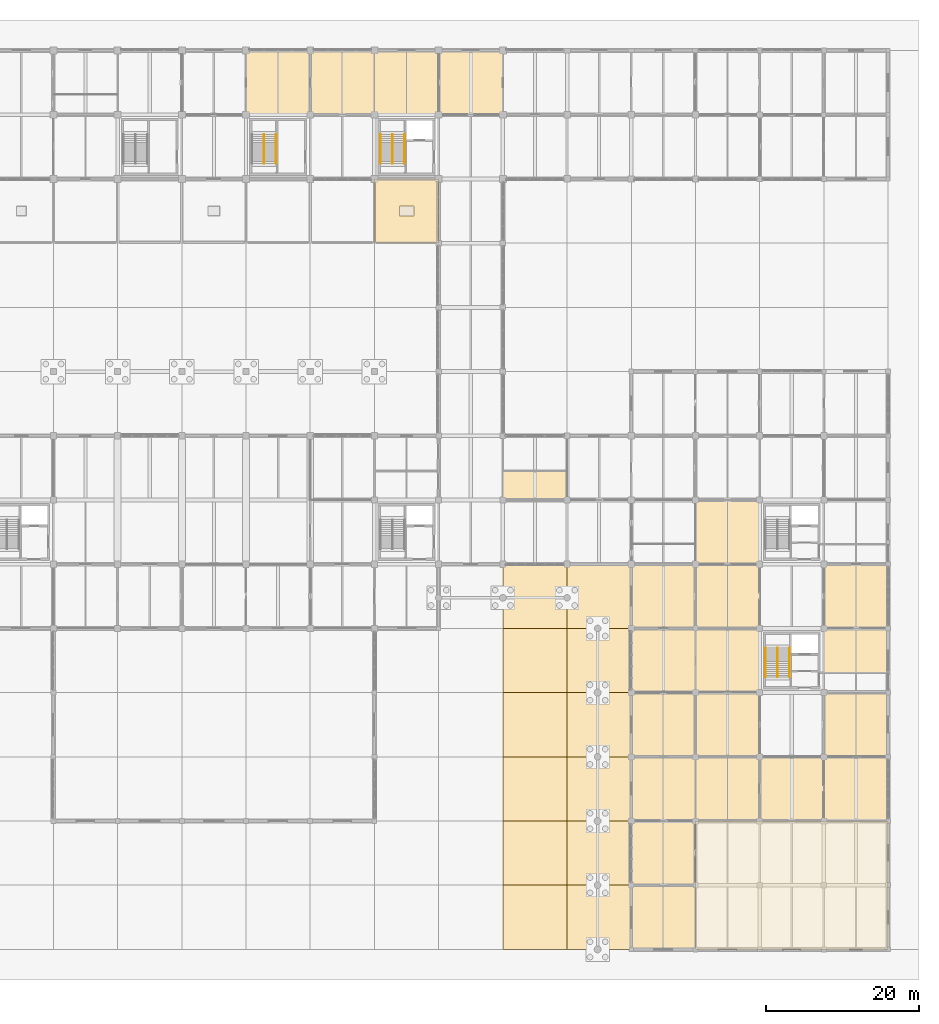
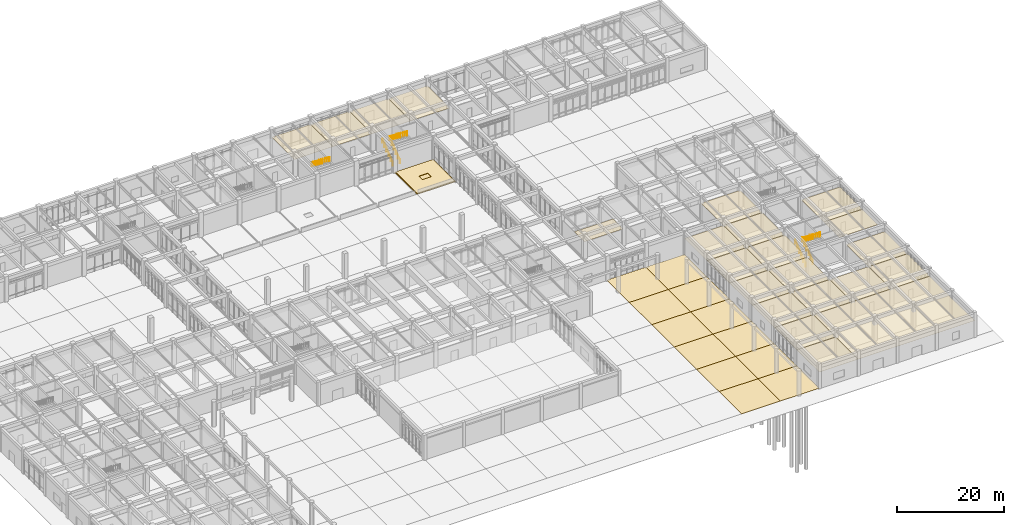
# One storey, part 90 of 91: 36 coverings, 10 railings.
"""IFC4 building model written with IfcOpenShell, lengths in metres."""

from ifc_helpers import new_model, si_unit, direction, frame, origin, origin_2d, place, context, subcontext, project, spatial, polyline, circle, outline, extrude, material, layer, layer_set, type_object, element, save


model = new_model("IFC4")

# Units and contexts
model_context = context("Model", 3, precision=1e-05, world=origin(), true_north=direction((0.0, 1.0)))
body_context = subcontext(model_context, "Body", "Model", "MODEL_VIEW")
ifc_project = project(units=[si_unit("LENGTHUNIT", "METRE"), si_unit("AREAUNIT", "SQUARE_METRE"), si_unit("VOLUMEUNIT", "CUBIC_METRE"), si_unit("PLANEANGLEUNIT", "RADIAN"), si_unit("MASSUNIT", "GRAM", prefix="KILO")], contexts=[model_context])

# Site, building, storey
site_placement = place(None, origin())
site = spatial("IfcSite", under=ifc_project, at=site_placement, CompositionType="ELEMENT")
building_placement = place(site_placement, origin())
building = spatial("IfcBuilding", under=site, at=building_placement, Name="Porcellanite Civic Hall", CompositionType="ELEMENT")
storey_placement = place(building_placement, origin())
storey = spatial("IfcBuildingStorey", under=building, at=storey_placement, Name="L00", CompositionType="ELEMENT", Elevation=0.0)

# Coverings
ifc_material_1 = material(Name="Perforated acoustic mineral-fibre and spotted-gum batten ceiling")
ifc_layer_1 = layer(ifc_material_1, 0.034912109375)
ifc_layer_set_1 = layer_set([ifc_layer_1], Name="Perforated acoustic mineral-fibre and spotted-gum batten ceiling")
covering_type_1 = type_object("IfcCoveringType", Name="COV-CL2", PredefinedType="CEILING", material=ifc_layer_set_1)
covering_1_placement = place(storey_placement, frame((0.0, 0.0, 3.625)))
element("IfcCovering", 1, at=covering_1_placement, inside=storey, type_object=covering_type_1, Name="Acoustic ceiling Civic Bookshop", PredefinedType="CEILING", context=body_context, shape_type="SweptSolid", body=[
    extrude(outline(polyline([(151.2099609375, 0.010009765625), (176.389892578125, 0.010009765625), (176.389892578125, 16.7900390625), (151.2099609375, 16.7900390625), (151.2099609375, 0.010009765625)])), origin(), (0.0, 0.0, 1.0), 0.034912109375),
])
ifc_material_2 = material(Name="Perforated acoustic mineral-fibre and spotted-gum batten ceiling")
ifc_layer_2 = layer(ifc_material_2, 0.044921875)
ifc_layer_set_2 = layer_set([ifc_layer_2], Name="Perforated acoustic mineral-fibre and spotted-gum batten ceiling")
covering_type_2 = type_object("IfcCoveringType", Name="COV-CL3", PredefinedType="CEILING", material=ifc_layer_set_2)
covering_2_placement = place(storey_placement, frame((0.0, 0.0, 3.614990234375)))
element("IfcCovering", 2, at=covering_2_placement, inside=storey, type_object=covering_type_2, Name="Acoustic ceiling Local History Research Room L00-A", PredefinedType="CEILING", context=body_context, shape_type="SweptSolid", body=[
    extrude(outline(polyline([(126.010009765625, 58.81005859375), (134.389892578125, 58.81005859375), (134.389892578125, 62.590087890625), (126.010009765625, 62.590087890625), (126.010009765625, 58.81005859375)])), origin(), (0.0, 0.0, 1.0), 0.044921875),
])
covering_3_placement = place(storey_placement, frame((0.0, 0.0, 3.614990234375)))
element("IfcCovering", 3, at=covering_3_placement, inside=storey, type_object=covering_type_2, Name="Acoustic ceiling Municipal Registry Office L00-54", PredefinedType="CEILING", context=body_context, shape_type="SweptSolid", body=[
    extrude(outline(polyline([(92.409912109375, 109.2099609375), (100.7900390625, 109.2099609375), (100.7900390625, 117.590087890625), (92.409912109375, 117.590087890625), (92.409912109375, 109.2099609375)])), origin(), (0.0, 0.0, 1.0), 0.044921875),
])
covering_4_placement = place(storey_placement, frame((0.0, 0.0, 3.614990234375)))
element("IfcCovering", 4, at=covering_4_placement, inside=storey, type_object=covering_type_2, Name="Acoustic ceiling Municipal Registry Office L00-59", PredefinedType="CEILING", context=body_context, shape_type="SweptSolid", body=[
    extrude(outline(polyline([(100.81005859375, 109.2099609375), (109.18994140625, 109.2099609375), (109.18994140625, 117.590087890625), (100.81005859375, 117.590087890625), (100.81005859375, 109.2099609375)])), origin(), (0.0, 0.0, 1.0), 0.044921875),
])
covering_5_placement = place(storey_placement, frame((0.0, 0.0, 3.614990234375)))
element("IfcCovering", 5, at=covering_5_placement, inside=storey, type_object=covering_type_2, Name="Acoustic ceiling Community Grants Office L00-61", PredefinedType="CEILING", context=body_context, shape_type="SweptSolid", body=[
    extrude(outline(polyline([(109.2099609375, 109.2099609375), (117.590087890625, 109.2099609375), (117.590087890625, 117.590087890625), (109.2099609375, 117.590087890625), (109.2099609375, 109.2099609375)])), origin(), (0.0, 0.0, 1.0), 0.044921875),
])
covering_6_placement = place(storey_placement, frame((0.0, 0.0, 3.614990234375)))
element("IfcCovering", 6, at=covering_6_placement, inside=storey, type_object=covering_type_2, Name="Acoustic ceiling Municipal Registry Office L00-69", PredefinedType="CEILING", context=body_context, shape_type="SweptSolid", body=[
    extrude(outline(polyline([(117.610107421875, 109.2099609375), (125.989990234375, 109.2099609375), (125.989990234375, 117.590087890625), (117.610107421875, 117.590087890625), (117.610107421875, 109.2099609375)])), origin(), (0.0, 0.0, 1.0), 0.044921875),
])
covering_7_placement = place(storey_placement, frame((0.0, 0.0, 3.614990234375)))
element("IfcCovering", 7, at=covering_7_placement, inside=storey, type_object=covering_type_2, Name="Acoustic ceiling Civic Periodicals Collection Room L00-75", PredefinedType="CEILING", context=body_context, shape_type="SweptSolid", body=[
    extrude(outline(polyline([(142.81005859375, 0.010009765625), (151.18994140625, 0.010009765625), (151.18994140625, 8.389892578125), (142.81005859375, 8.389892578125), (142.81005859375, 0.010009765625)])), origin(), (0.0, 0.0, 1.0), 0.044921875),
])
covering_8_placement = place(storey_placement, frame((0.0, 0.0, 3.614990234375)))
element("IfcCovering", 8, at=covering_8_placement, inside=storey, type_object=covering_type_2, Name="Acoustic ceiling Territorial Gazetteer Office L00-76", PredefinedType="CEILING", context=body_context, shape_type="SweptSolid", body=[
    extrude(outline(polyline([(142.81005859375, 8.409912109375), (151.18994140625, 8.409912109375), (151.18994140625, 16.7900390625), (142.81005859375, 16.7900390625), (142.81005859375, 8.409912109375)])), origin(), (0.0, 0.0, 1.0), 0.044921875),
])
covering_9_placement = place(storey_placement, frame((0.0, 0.0, 3.614990234375)))
element("IfcCovering", 9, at=covering_9_placement, inside=storey, type_object=covering_type_2, Name="Acoustic ceiling Community Seminar Room L00-77", PredefinedType="CEILING", context=body_context, shape_type="SweptSolid", body=[
    extrude(outline(polyline([(142.81005859375, 16.81005859375), (151.18994140625, 16.81005859375), (151.18994140625, 25.18994140625), (142.81005859375, 25.18994140625), (142.81005859375, 16.81005859375)])), origin(), (0.0, 0.0, 1.0), 0.044921875),
])
covering_10_placement = place(storey_placement, frame((0.0, 0.0, 3.614990234375)))
element("IfcCovering", 10, at=covering_10_placement, inside=storey, type_object=covering_type_2, Name="Acoustic ceiling Rare Maps Conservation Studio L00-78", PredefinedType="CEILING", context=body_context, shape_type="SweptSolid", body=[
    extrude(outline(polyline([(142.81005859375, 25.2099609375), (151.18994140625, 25.2099609375), (151.18994140625, 33.590087890625), (142.81005859375, 33.590087890625), (142.81005859375, 25.2099609375)])), origin(), (0.0, 0.0, 1.0), 0.044921875),
])
covering_11_placement = place(storey_placement, frame((0.0, 0.0, 3.614990234375)))
element("IfcCovering", 11, at=covering_11_placement, inside=storey, type_object=covering_type_2, Name="Acoustic ceiling Local History Research Office L00-79", PredefinedType="CEILING", context=body_context, shape_type="SweptSolid", body=[
    extrude(outline(polyline([(142.81005859375, 33.610107421875), (151.18994140625, 33.610107421875), (151.18994140625, 41.989990234375), (142.81005859375, 41.989990234375), (142.81005859375, 33.610107421875)])), origin(), (0.0, 0.0, 1.0), 0.044921875),
])
covering_12_placement = place(storey_placement, frame((0.0, 0.0, 3.614990234375)))
element("IfcCovering", 12, at=covering_12_placement, inside=storey, type_object=covering_type_2, Name="Acoustic ceiling Civic Periodicals Collection Room L00-80", PredefinedType="CEILING", context=body_context, shape_type="SweptSolid", body=[
    extrude(outline(polyline([(142.81005859375, 42.010009765625), (151.18994140625, 42.010009765625), (151.18994140625, 50.389892578125), (142.81005859375, 50.389892578125), (142.81005859375, 42.010009765625)])), origin(), (0.0, 0.0, 1.0), 0.044921875),
])
covering_13_placement = place(storey_placement, frame((0.0, 0.0, 3.614990234375)))
element("IfcCovering", 13, at=covering_13_placement, inside=storey, type_object=covering_type_2, Name="Acoustic ceiling Local History Research Office L00-85", PredefinedType="CEILING", context=body_context, shape_type="SweptSolid", body=[
    extrude(outline(polyline([(151.2099609375, 16.81005859375), (159.590087890625, 16.81005859375), (159.590087890625, 25.18994140625), (151.2099609375, 25.18994140625), (151.2099609375, 16.81005859375)])), origin(), (0.0, 0.0, 1.0), 0.044921875),
])
covering_14_placement = place(storey_placement, frame((0.0, 0.0, 3.614990234375)))
element("IfcCovering", 14, at=covering_14_placement, inside=storey, type_object=covering_type_2, Name="Acoustic ceiling Civic Periodicals Collection Room L00-86", PredefinedType="CEILING", context=body_context, shape_type="SweptSolid", body=[
    extrude(outline(polyline([(151.2099609375, 25.2099609375), (159.590087890625, 25.2099609375), (159.590087890625, 33.590087890625), (151.2099609375, 33.590087890625), (151.2099609375, 25.2099609375)])), origin(), (0.0, 0.0, 1.0), 0.044921875),
])
covering_15_placement = place(storey_placement, frame((0.0, 0.0, 3.614990234375)))
element("IfcCovering", 15, at=covering_15_placement, inside=storey, type_object=covering_type_2, Name="Acoustic ceiling Territorial Gazetteer Office L00-87", PredefinedType="CEILING", context=body_context, shape_type="SweptSolid", body=[
    extrude(outline(polyline([(151.2099609375, 33.610107421875), (159.590087890625, 33.610107421875), (159.590087890625, 41.989990234375), (151.2099609375, 41.989990234375), (151.2099609375, 33.610107421875)])), origin(), (0.0, 0.0, 1.0), 0.044921875),
])
covering_16_placement = place(storey_placement, frame((0.0, 0.0, 3.614990234375)))
element("IfcCovering", 16, at=covering_16_placement, inside=storey, type_object=covering_type_2, Name="Acoustic ceiling Community Seminar Room L00-88", PredefinedType="CEILING", context=body_context, shape_type="SweptSolid", body=[
    extrude(outline(polyline([(151.2099609375, 42.010009765625), (159.590087890625, 42.010009765625), (159.590087890625, 50.389892578125), (151.2099609375, 50.389892578125), (151.2099609375, 42.010009765625)])), origin(), (0.0, 0.0, 1.0), 0.044921875),
])
covering_17_placement = place(storey_placement, frame((0.0, 0.0, 3.614990234375)))
element("IfcCovering", 17, at=covering_17_placement, inside=storey, type_object=covering_type_2, Name="Acoustic ceiling Rare Maps Conservation Studio L00-89", PredefinedType="CEILING", context=body_context, shape_type="SweptSolid", body=[
    extrude(outline(polyline([(151.2099609375, 50.409912109375), (159.590087890625, 50.409912109375), (159.590087890625, 58.7900390625), (151.2099609375, 58.7900390625), (151.2099609375, 50.409912109375)])), origin(), (0.0, 0.0, 1.0), 0.044921875),
])
covering_18_placement = place(storey_placement, frame((0.0, 0.0, 3.614990234375)))
element("IfcCovering", 18, at=covering_18_placement, inside=storey, type_object=covering_type_2, Name="Acoustic ceiling Local History Research Office L00-94", PredefinedType="CEILING", context=body_context, shape_type="SweptSolid", body=[
    extrude(outline(polyline([(159.610107421875, 16.81005859375), (167.989990234375, 16.81005859375), (167.989990234375, 25.18994140625), (159.610107421875, 25.18994140625), (159.610107421875, 16.81005859375)])), origin(), (0.0, 0.0, 1.0), 0.044921875),
])
covering_19_placement = place(storey_placement, frame((0.0, 0.0, 3.614990234375)))
element("IfcCovering", 19, at=covering_19_placement, inside=storey, type_object=covering_type_2, Name="Acoustic ceiling Rare Maps Conservation Studio L00-101", PredefinedType="CEILING", context=body_context, shape_type="SweptSolid", body=[
    extrude(outline(polyline([(168.010009765625, 16.81005859375), (176.389892578125, 16.81005859375), (176.389892578125, 25.18994140625), (168.010009765625, 25.18994140625), (168.010009765625, 16.81005859375)])), origin(), (0.0, 0.0, 1.0), 0.044921875),
])
covering_20_placement = place(storey_placement, frame((0.0, 0.0, 3.614990234375)))
element("IfcCovering", 20, at=covering_20_placement, inside=storey, type_object=covering_type_2, Name="Acoustic ceiling Local History Research Office L00-102", PredefinedType="CEILING", context=body_context, shape_type="SweptSolid", body=[
    extrude(outline(polyline([(168.010009765625, 25.2099609375), (176.389892578125, 25.2099609375), (176.389892578125, 33.590087890625), (168.010009765625, 33.590087890625), (168.010009765625, 25.2099609375)])), origin(), (0.0, 0.0, 1.0), 0.044921875),
])
covering_21_placement = place(storey_placement, frame((0.0, 0.0, 3.614990234375)))
element("IfcCovering", 21, at=covering_21_placement, inside=storey, type_object=covering_type_2, Name="Acoustic ceiling Civic Periodicals Collection Room L00-103", PredefinedType="CEILING", context=body_context, shape_type="SweptSolid", body=[
    extrude(outline(polyline([(168.010009765625, 36.18798828125), (176.389892578125, 36.18798828125), (176.389892578125, 41.989990234375), (168.010009765625, 41.989990234375), (168.010009765625, 36.18798828125)])), origin(), (0.0, 0.0, 1.0), 0.044921875),
])
covering_22_placement = place(storey_placement, frame((0.0, 0.0, 3.614990234375)))
element("IfcCovering", 22, at=covering_22_placement, inside=storey, type_object=covering_type_2, Name="Acoustic ceiling Territorial Gazetteer Office L00-104", PredefinedType="CEILING", context=body_context, shape_type="SweptSolid", body=[
    extrude(outline(polyline([(168.010009765625, 42.010009765625), (176.389892578125, 42.010009765625), (176.389892578125, 50.389892578125), (168.010009765625, 50.389892578125), (168.010009765625, 42.010009765625)])), origin(), (0.0, 0.0, 1.0), 0.044921875),
])
ifc_material_3 = material(Name="Darwin porcellanite stone paving", Category="masonry")
ifc_layer_3 = layer(ifc_material_3, 0.10009765625)
ifc_layer_set_3 = layer_set([ifc_layer_3], Name="Darwin porcellanite stone paving")
covering_type_3 = type_object("IfcCoveringType", Name="COV-PAV100", PredefinedType="USERDEFINED", material=ifc_layer_set_3)
covering_23_placement = place(storey_placement, frame((0.0, 0.0, -0.10009765625)))
element("IfcCovering", 23, at=covering_23_placement, inside=storey, type_object=covering_type_3, Name="Porcellanite Square paving 14-12", ObjectType="PAVING", PredefinedType="USERDEFINED", context=body_context, shape_type="SweptSolid", body=[
    extrude(outline(polyline([(109.199951171875, 92.39990234375), (117.60009765625, 92.39990234375), (117.60009765625, 100.800048828125), (109.199951171875, 100.800048828125), (109.199951171875, 92.39990234375)])), origin(), (0.0, 0.0, 1.0), 0.10009765625),
])
covering_24_placement = place(storey_placement, frame((0.0, 0.0, -0.10009765625)))
element("IfcCovering", 24, at=covering_24_placement, inside=storey, type_object=covering_type_3, Name="Porcellanite Square paving 16-1", ObjectType="PAVING", PredefinedType="USERDEFINED", context=body_context, shape_type="SweptSolid", body=[
    extrude(outline(polyline([(126.0, 0.0), (134.39990234375, 0.0), (134.39990234375, 8.39990234375), (126.0, 8.39990234375), (126.0, 0.0)])), origin(), (0.0, 0.0, 1.0), 0.10009765625),
])
covering_25_placement = place(storey_placement, frame((0.0, 0.0, -0.10009765625)))
element("IfcCovering", 25, at=covering_25_placement, inside=storey, type_object=covering_type_3, Name="Porcellanite Square paving 16-2", ObjectType="PAVING", PredefinedType="USERDEFINED", context=body_context, shape_type="SweptSolid", body=[
    extrude(outline(polyline([(126.0, 8.39990234375), (134.39990234375, 8.39990234375), (134.39990234375, 16.800048828125), (126.0, 16.800048828125), (126.0, 8.39990234375)])), origin(), (0.0, 0.0, 1.0), 0.10009765625),
])
covering_26_placement = place(storey_placement, frame((0.0, 0.0, -0.10009765625)))
element("IfcCovering", 26, at=covering_26_placement, inside=storey, type_object=covering_type_3, Name="Porcellanite Square paving 16-3", ObjectType="PAVING", PredefinedType="USERDEFINED", context=body_context, shape_type="SweptSolid", body=[
    extrude(outline(polyline([(126.0, 16.800048828125), (134.39990234375, 16.800048828125), (134.39990234375, 25.199951171875), (126.0, 25.199951171875), (126.0, 16.800048828125)])), origin(), (0.0, 0.0, 1.0), 0.10009765625),
])
covering_27_placement = place(storey_placement, frame((0.0, 0.0, -0.10009765625)))
element("IfcCovering", 27, at=covering_27_placement, inside=storey, type_object=covering_type_3, Name="Porcellanite Square paving 16-4", ObjectType="PAVING", PredefinedType="USERDEFINED", context=body_context, shape_type="SweptSolid", body=[
    extrude(outline(polyline([(126.0, 25.199951171875), (134.39990234375, 25.199951171875), (134.39990234375, 33.60009765625), (126.0, 33.60009765625), (126.0, 25.199951171875)])), origin(), (0.0, 0.0, 1.0), 0.10009765625),
])
covering_28_placement = place(storey_placement, frame((0.0, 0.0, -0.10009765625)))
element("IfcCovering", 28, at=covering_28_placement, inside=storey, type_object=covering_type_3, Name="Porcellanite Square paving 16-5", ObjectType="PAVING", PredefinedType="USERDEFINED", context=body_context, shape_type="SweptSolid", body=[
    extrude(outline(polyline([(126.0, 33.60009765625), (134.39990234375, 33.60009765625), (134.39990234375, 42.0), (126.0, 42.0), (126.0, 33.60009765625)])), origin(), (0.0, 0.0, 1.0), 0.10009765625),
])
covering_29_placement = place(storey_placement, frame((0.0, 0.0, -0.10009765625)))
element("IfcCovering", 29, at=covering_29_placement, inside=storey, type_object=covering_type_3, Name="Porcellanite Square paving 16-6", ObjectType="PAVING", PredefinedType="USERDEFINED", context=body_context, shape_type="SweptSolid", body=[
    extrude(outline(polyline([(126.0, 42.0), (134.39990234375, 42.0), (134.39990234375, 50.39990234375), (126.0, 50.39990234375), (126.0, 42.0)])), origin(), (0.0, 0.0, 1.0), 0.10009765625),
])
covering_30_placement = place(storey_placement, frame((0.0, 0.0, -0.10009765625)))
element("IfcCovering", 30, at=covering_30_placement, inside=storey, type_object=covering_type_3, Name="Porcellanite Square paving 17-1", ObjectType="PAVING", PredefinedType="USERDEFINED", context=body_context, shape_type="SweptSolid", body=[
    extrude(outline(polyline([(134.39990234375, 0.0), (142.800048828125, 0.0), (142.800048828125, 8.39990234375), (134.39990234375, 8.39990234375), (134.39990234375, 0.0)])), origin(), (0.0, 0.0, 1.0), 0.10009765625),
])
covering_31_placement = place(storey_placement, frame((0.0, 0.0, -0.10009765625)))
element("IfcCovering", 31, at=covering_31_placement, inside=storey, type_object=covering_type_3, Name="Porcellanite Square paving 17-2", ObjectType="PAVING", PredefinedType="USERDEFINED", context=body_context, shape_type="SweptSolid", body=[
    extrude(outline(polyline([(134.39990234375, 8.39990234375), (142.800048828125, 8.39990234375), (142.800048828125, 16.800048828125), (134.39990234375, 16.800048828125), (134.39990234375, 8.39990234375)])), origin(), (0.0, 0.0, 1.0), 0.10009765625),
])
covering_32_placement = place(storey_placement, frame((0.0, 0.0, -0.10009765625)))
element("IfcCovering", 32, at=covering_32_placement, inside=storey, type_object=covering_type_3, Name="Porcellanite Square paving 17-3", ObjectType="PAVING", PredefinedType="USERDEFINED", context=body_context, shape_type="SweptSolid", body=[
    extrude(outline(polyline([(134.39990234375, 16.800048828125), (142.800048828125, 16.800048828125), (142.800048828125, 25.199951171875), (134.39990234375, 25.199951171875), (134.39990234375, 16.800048828125)])), origin(), (0.0, 0.0, 1.0), 0.10009765625),
])
covering_33_placement = place(storey_placement, frame((0.0, 0.0, -0.10009765625)))
element("IfcCovering", 33, at=covering_33_placement, inside=storey, type_object=covering_type_3, Name="Porcellanite Square paving 17-4", ObjectType="PAVING", PredefinedType="USERDEFINED", context=body_context, shape_type="SweptSolid", body=[
    extrude(outline(polyline([(134.39990234375, 25.199951171875), (142.800048828125, 25.199951171875), (142.800048828125, 33.60009765625), (134.39990234375, 33.60009765625), (134.39990234375, 25.199951171875)])), origin(), (0.0, 0.0, 1.0), 0.10009765625),
])
covering_34_placement = place(storey_placement, frame((0.0, 0.0, -0.10009765625)))
element("IfcCovering", 34, at=covering_34_placement, inside=storey, type_object=covering_type_3, Name="Porcellanite Square paving 17-5", ObjectType="PAVING", PredefinedType="USERDEFINED", context=body_context, shape_type="SweptSolid", body=[
    extrude(outline(polyline([(134.39990234375, 33.60009765625), (142.800048828125, 33.60009765625), (142.800048828125, 42.0), (134.39990234375, 42.0), (134.39990234375, 33.60009765625)])), origin(), (0.0, 0.0, 1.0), 0.10009765625),
])
covering_35_placement = place(storey_placement, frame((0.0, 0.0, -0.10009765625)))
element("IfcCovering", 35, at=covering_35_placement, inside=storey, type_object=covering_type_3, Name="Porcellanite Square paving 17-6", ObjectType="PAVING", PredefinedType="USERDEFINED", context=body_context, shape_type="SweptSolid", body=[
    extrude(outline(polyline([(134.39990234375, 42.0), (142.800048828125, 42.0), (142.800048828125, 50.39990234375), (134.39990234375, 50.39990234375), (134.39990234375, 42.0)])), origin(), (0.0, 0.0, 1.0), 0.10009765625),
])
ifc_material_4 = material(Name="Insulated light-reflective TPO monsoon roofing membrane")
ifc_layer_4 = layer(ifc_material_4, 0.080078125)
ifc_layer_set_4 = layer_set([ifc_layer_4], Name="Insulated light-reflective TPO monsoon roofing membrane")
covering_type_4 = type_object("IfcCoveringType", Name="COV-RF1", PredefinedType="ROOFING", material=ifc_layer_set_4)
covering_36_placement = place(storey_placement, origin())
element("IfcCovering", 36, at=covering_36_placement, inside=storey, type_object=covering_type_4, Name="Roof membrane L00 14-12", PredefinedType="ROOFING", context=body_context, shape_type="SweptSolid", body=[
    extrude(outline(polyline([(109.35009765625, 92.550048828125), (117.449951171875, 92.550048828125), (117.449951171875, 100.64990234375), (109.35009765625, 100.64990234375), (109.35009765625, 92.550048828125)]), holes=[polyline([(112.449951171875, 95.949951171875), (114.35009765625, 95.949951171875), (114.35009765625, 97.25), (112.449951171875, 97.25), (112.449951171875, 95.949951171875)])]), origin(), (0.0, 0.0, 1.0), 0.080078125),
])

# Railings
ifc_material_5 = material(Name="Brushed stainless steel 316", Category="steel")
railing_type_1 = type_object("IfcRailingType", Name="RL-HR920", PredefinedType="HANDRAIL", material=ifc_material_5)
railing_1_placement = place(storey_placement, frame((109.985107421875, 102.800048828125, 0.0)))
element("IfcRailing", 37, at=railing_1_placement, inside=storey, type_object=railing_type_1, Name="Stair handrail ST-04 L00 1", PredefinedType="HANDRAIL", context=body_context, shape_type="SweptSolid", body=[
    extrude(circle(Radius=0.02197265625, at=origin_2d()), frame((0.0, 0.0, 0.89794921875), z_axis=(0.0, 0.798878840457, 0.601491976896), x_axis=(-1.0, 0.0, 0.0)), (0.0, 0.0, 1.0), 4.787841796875),
    extrude(circle(Radius=0.01904296875, at=origin_2d()), origin(), (0.0, 0.0, 1.0), 0.8759765625),
    extrude(circle(Radius=0.01904296875, at=origin_2d()), frame((0.0, 0.764892578125, 0.575927734375)), (0.0, 0.0, 1.0), 0.8759765625),
    extrude(circle(Radius=0.01904296875, at=origin_2d()), frame((0.0, 1.530029296875, 1.15185546875)), (0.0, 0.0, 1.0), 0.8759765625),
    extrude(circle(Radius=0.01904296875, at=origin_2d()), frame((0.0, 2.294921875, 1.72802734375)), (0.0, 0.0, 1.0), 0.8759765625),
    extrude(circle(Radius=0.01904296875, at=origin_2d()), frame((0.0, 3.06005859375, 2.303955078125)), (0.0, 0.0, 1.0), 0.8759765625),
    extrude(circle(Radius=0.01904296875, at=origin_2d()), frame((0.0, 3.824951171875, 2.8798828125)), (0.0, 0.0, 1.0), 0.8759765625),
])
railing_2_placement = place(storey_placement, frame((111.56494140625, 106.625, 2.8798828125)))
element("IfcRailing", 38, at=railing_2_placement, inside=storey, type_object=railing_type_1, Name="Stair handrail ST-04 L00 3", PredefinedType="HANDRAIL", context=body_context, shape_type="SweptSolid", body=[
    extrude(circle(Radius=0.02197265625, at=origin_2d()), frame((0.0, 0.0, 0.89794921875), z_axis=(0.0, -0.798854338303, 0.601524518348), x_axis=(1.0, 0.0, 0.0)), (0.0, 0.0, 1.0), 4.7880859375),
    extrude(circle(Radius=0.01904296875, at=origin_2d()), origin(), (0.0, 0.0, 1.0), 0.8759765625),
    extrude(circle(Radius=0.01904296875, at=origin_2d()), frame((0.0, -0.764892578125, 0.575927734375)), (0.0, 0.0, 1.0), 0.8759765625),
    extrude(circle(Radius=0.01904296875, at=origin_2d()), frame((0.0, -1.530029296875, 1.152099609375)), (0.0, 0.0, 1.0), 0.8759765625),
    extrude(circle(Radius=0.01904296875, at=origin_2d()), frame((0.0, -2.294921875, 1.72802734375)), (0.0, 0.0, 1.0), 0.8759765625),
    extrude(circle(Radius=0.01904296875, at=origin_2d()), frame((0.0, -3.06005859375, 2.30419921875)), (0.0, 0.0, 1.0), 0.8759765625),
    extrude(circle(Radius=0.01904296875, at=origin_2d()), frame((0.0, -3.824951171875, 2.880126953125)), (0.0, 0.0, 1.0), 0.8759765625),
])
railing_3_placement = place(storey_placement, frame((160.385009765625, 35.60009765625, 0.0)))
element("IfcRailing", 39, at=railing_3_placement, inside=storey, type_object=railing_type_1, Name="Stair handrail ST-07 L00 1", PredefinedType="HANDRAIL", context=body_context, shape_type="SweptSolid", body=[
    extrude(circle(Radius=0.02197265625, at=origin_2d()), frame((0.0, 0.0, 0.89794921875), z_axis=(0.0, 0.798878840457, 0.601491976896), x_axis=(-1.0, 0.0, 0.0)), (0.0, 0.0, 1.0), 4.787841796875),
    extrude(circle(Radius=0.01904296875, at=origin_2d()), origin(), (0.0, 0.0, 1.0), 0.8759765625),
    extrude(circle(Radius=0.01904296875, at=origin_2d()), frame((0.0, 0.764892578125, 0.575927734375)), (0.0, 0.0, 1.0), 0.8759765625),
    extrude(circle(Radius=0.01904296875, at=origin_2d()), frame((0.0, 1.530029296875, 1.15185546875)), (0.0, 0.0, 1.0), 0.8759765625),
    extrude(circle(Radius=0.01904296875, at=origin_2d()), frame((0.0, 2.294921875, 1.72802734375)), (0.0, 0.0, 1.0), 0.8759765625),
    extrude(circle(Radius=0.01904296875, at=origin_2d()), frame((0.0, 3.06005859375, 2.303955078125)), (0.0, 0.0, 1.0), 0.8759765625),
    extrude(circle(Radius=0.01904296875, at=origin_2d()), frame((0.0, 3.824951171875, 2.8798828125)), (0.0, 0.0, 1.0), 0.8759765625),
])
for number, where, name in (
    (40, (161.965087890625, 39.425048828125, 2.8798828125), "Stair handrail ST-07 L00 3"),
    (41, (94.764892578125, 106.625, 2.8798828125), "Stair handrail ST-10 L00 3"),
):
    element("IfcRailing", number, at=place(storey_placement, frame(where)), inside=storey, type_object=railing_type_1, Name=name, PredefinedType="HANDRAIL", context=body_context, shape_type="SweptSolid", body=[
        extrude(circle(Radius=0.02197265625, at=origin_2d()), frame((0.0, 0.0, 0.89794921875), z_axis=(0.0, -0.798854338303, 0.601524518348), x_axis=(1.0, 0.0, 0.0)), (0.0, 0.0, 1.0), 4.7880859375),
        extrude(circle(Radius=0.01904296875, at=origin_2d()), origin(), (0.0, 0.0, 1.0), 0.8759765625),
        extrude(circle(Radius=0.01904296875, at=origin_2d()), frame((0.0, -0.764892578125, 0.575927734375)), (0.0, 0.0, 1.0), 0.8759765625),
        extrude(circle(Radius=0.01904296875, at=origin_2d()), frame((0.0, -1.530029296875, 1.152099609375)), (0.0, 0.0, 1.0), 0.8759765625),
        extrude(circle(Radius=0.01904296875, at=origin_2d()), frame((0.0, -2.294921875, 1.72802734375)), (0.0, 0.0, 1.0), 0.8759765625),
        extrude(circle(Radius=0.01904296875, at=origin_2d()), frame((0.0, -3.06005859375, 2.30419921875)), (0.0, 0.0, 1.0), 0.8759765625),
        extrude(circle(Radius=0.01904296875, at=origin_2d()), frame((0.0, -3.824951171875, 2.880126953125)), (0.0, 0.0, 1.0), 0.8759765625),
    ])
ifc_material_6 = material(Name="Brushed stainless steel 316", Category="steel")
railing_type_2 = type_object("IfcRailingType", Name="RL-HR950", PredefinedType="HANDRAIL", material=ifc_material_6)
railing_4_placement = place(storey_placement, frame((111.534912109375, 102.800048828125, 0.0)))
element("IfcRailing", 42, at=railing_4_placement, inside=storey, type_object=railing_type_2, Name="Stair handrail ST-04 L00 2", PredefinedType="HANDRAIL", context=body_context, shape_type="SweptSolid", body=[
    extrude(circle(Radius=0.02197265625, at=origin_2d()), frame((0.0, 0.0, 0.927978515625), z_axis=(0.0, 0.798878840457, 0.601491976896), x_axis=(-1.0, 0.0, 0.0)), (0.0, 0.0, 1.0), 4.787841796875),
    extrude(circle(Radius=0.01904296875, at=origin_2d()), origin(), (0.0, 0.0, 1.0), 0.906005859375),
    extrude(circle(Radius=0.01904296875, at=origin_2d()), frame((0.0, 0.764892578125, 0.575927734375)), (0.0, 0.0, 1.0), 0.906005859375),
    extrude(circle(Radius=0.01904296875, at=origin_2d()), frame((0.0, 1.530029296875, 1.15185546875)), (0.0, 0.0, 1.0), 0.906005859375),
    extrude(circle(Radius=0.01904296875, at=origin_2d()), frame((0.0, 2.294921875, 1.72802734375)), (0.0, 0.0, 1.0), 0.906005859375),
    extrude(circle(Radius=0.01904296875, at=origin_2d()), frame((0.0, 3.06005859375, 2.303955078125)), (0.0, 0.0, 1.0), 0.906005859375),
    extrude(circle(Radius=0.01904296875, at=origin_2d()), frame((0.0, 3.824951171875, 2.8798828125)), (0.0, 0.0, 1.0), 0.906005859375),
])
railing_5_placement = place(storey_placement, frame((113.114990234375, 106.625, 2.8798828125)))
element("IfcRailing", 43, at=railing_5_placement, inside=storey, type_object=railing_type_2, Name="Stair handrail ST-04 L00 4", PredefinedType="HANDRAIL", context=body_context, shape_type="SweptSolid", body=[
    extrude(circle(Radius=0.02197265625, at=origin_2d()), frame((0.0, 0.0, 0.927978515625), z_axis=(0.0, -0.798854338303, 0.601524518348), x_axis=(1.0, 0.0, 0.0)), (0.0, 0.0, 1.0), 4.7880859375),
    extrude(circle(Radius=0.01904296875, at=origin_2d()), origin(), (0.0, 0.0, 1.0), 0.906005859375),
    extrude(circle(Radius=0.01904296875, at=origin_2d()), frame((0.0, -0.764892578125, 0.575927734375)), (0.0, 0.0, 1.0), 0.906005859375),
    extrude(circle(Radius=0.01904296875, at=origin_2d()), frame((0.0, -1.530029296875, 1.152099609375)), (0.0, 0.0, 1.0), 0.906005859375),
    extrude(circle(Radius=0.01904296875, at=origin_2d()), frame((0.0, -2.294921875, 1.72802734375)), (0.0, 0.0, 1.0), 0.906005859375),
    extrude(circle(Radius=0.01904296875, at=origin_2d()), frame((0.0, -3.06005859375, 2.30419921875)), (0.0, 0.0, 1.0), 0.906005859375),
    extrude(circle(Radius=0.01904296875, at=origin_2d()), frame((0.0, -3.824951171875, 2.880126953125)), (0.0, 0.0, 1.0), 0.906005859375),
])
railing_6_placement = place(storey_placement, frame((161.93505859375, 35.60009765625, 0.0)))
element("IfcRailing", 44, at=railing_6_placement, inside=storey, type_object=railing_type_2, Name="Stair handrail ST-07 L00 2", PredefinedType="HANDRAIL", context=body_context, shape_type="SweptSolid", body=[
    extrude(circle(Radius=0.02197265625, at=origin_2d()), frame((0.0, 0.0, 0.927978515625), z_axis=(0.0, 0.798878840457, 0.601491976896), x_axis=(-1.0, 0.0, 0.0)), (0.0, 0.0, 1.0), 4.787841796875),
    extrude(circle(Radius=0.01904296875, at=origin_2d()), origin(), (0.0, 0.0, 1.0), 0.906005859375),
    extrude(circle(Radius=0.01904296875, at=origin_2d()), frame((0.0, 0.764892578125, 0.575927734375)), (0.0, 0.0, 1.0), 0.906005859375),
    extrude(circle(Radius=0.01904296875, at=origin_2d()), frame((0.0, 1.530029296875, 1.15185546875)), (0.0, 0.0, 1.0), 0.906005859375),
    extrude(circle(Radius=0.01904296875, at=origin_2d()), frame((0.0, 2.294921875, 1.72802734375)), (0.0, 0.0, 1.0), 0.906005859375),
    extrude(circle(Radius=0.01904296875, at=origin_2d()), frame((0.0, 3.06005859375, 2.303955078125)), (0.0, 0.0, 1.0), 0.906005859375),
    extrude(circle(Radius=0.01904296875, at=origin_2d()), frame((0.0, 3.824951171875, 2.8798828125)), (0.0, 0.0, 1.0), 0.906005859375),
])
for number, where, name in (
    (45, (163.514892578125, 39.425048828125, 2.8798828125), "Stair handrail ST-07 L00 4"),
    (46, (96.31494140625, 106.625, 2.8798828125), "Stair handrail ST-10 L00 4"),
):
    element("IfcRailing", number, at=place(storey_placement, frame(where)), inside=storey, type_object=railing_type_2, Name=name, PredefinedType="HANDRAIL", context=body_context, shape_type="SweptSolid", body=[
        extrude(circle(Radius=0.02197265625, at=origin_2d()), frame((0.0, 0.0, 0.927978515625), z_axis=(0.0, -0.798854338303, 0.601524518348), x_axis=(1.0, 0.0, 0.0)), (0.0, 0.0, 1.0), 4.7880859375),
        extrude(circle(Radius=0.01904296875, at=origin_2d()), origin(), (0.0, 0.0, 1.0), 0.906005859375),
        extrude(circle(Radius=0.01904296875, at=origin_2d()), frame((0.0, -0.764892578125, 0.575927734375)), (0.0, 0.0, 1.0), 0.906005859375),
        extrude(circle(Radius=0.01904296875, at=origin_2d()), frame((0.0, -1.530029296875, 1.152099609375)), (0.0, 0.0, 1.0), 0.906005859375),
        extrude(circle(Radius=0.01904296875, at=origin_2d()), frame((0.0, -2.294921875, 1.72802734375)), (0.0, 0.0, 1.0), 0.906005859375),
        extrude(circle(Radius=0.01904296875, at=origin_2d()), frame((0.0, -3.06005859375, 2.30419921875)), (0.0, 0.0, 1.0), 0.906005859375),
        extrude(circle(Radius=0.01904296875, at=origin_2d()), frame((0.0, -3.824951171875, 2.880126953125)), (0.0, 0.0, 1.0), 0.906005859375),
    ])

save(model, "model.ifc")
